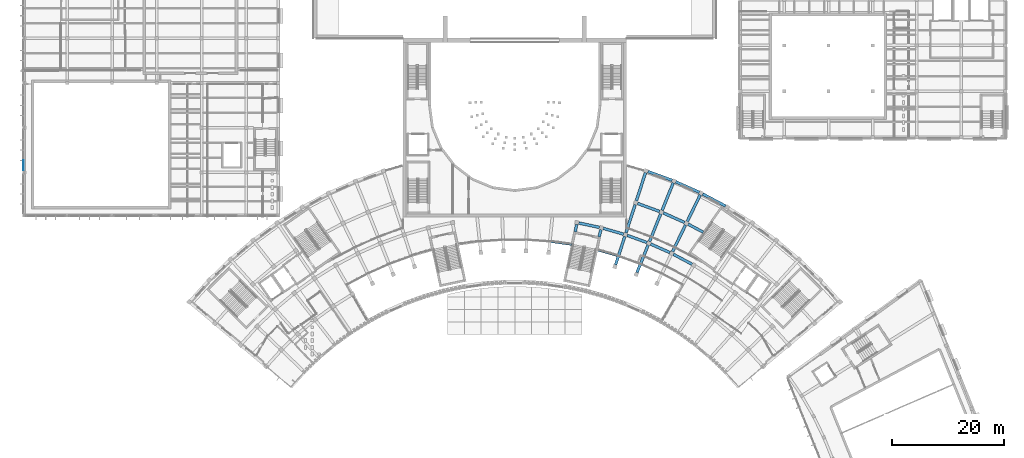
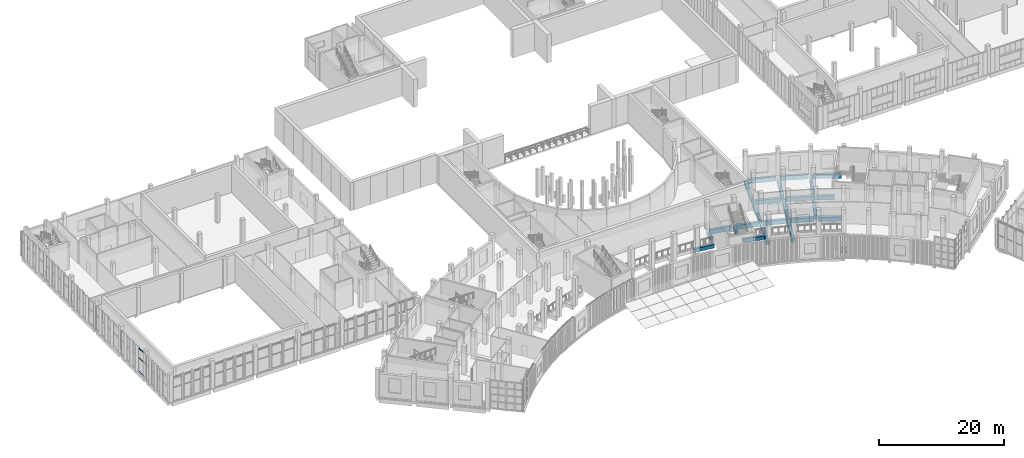
# One storey, part 16 of 112: 23 beams, 3 members, 1 element without a shape of its own.
"""IFC4 building model written with IfcOpenShell, lengths in metres."""

from ifc_helpers import new_model, si_unit, direction, frame, origin, origin_2d, place, context, subcontext, project, spatial, rectangle, extrude, material, layer, layer_set, material_profile, profile_set, type_object, element, aggregate, save


model = new_model("IFC4")

# Units and contexts
model_context = context("Model", 3, precision=1e-05, world=origin(), true_north=direction((0.0, 1.0)))
body_context = subcontext(model_context, "Body", "Model", "MODEL_VIEW")
ifc_project = project(units=[si_unit("LENGTHUNIT", "METRE"), si_unit("AREAUNIT", "SQUARE_METRE"), si_unit("VOLUMEUNIT", "CUBIC_METRE"), si_unit("PLANEANGLEUNIT", "RADIAN"), si_unit("MASSUNIT", "GRAM", prefix="KILO")], contexts=[model_context])

# Site, building, storey
site_placement = place(None, origin())
site = spatial("IfcSite", under=ifc_project, at=site_placement, CompositionType="ELEMENT")
building_placement = place(site_placement, origin())
building = spatial("IfcBuilding", under=site, at=building_placement, Name="Lunette Opera House", CompositionType="ELEMENT")
storey_placement = place(building_placement, frame((0.0, 0.0, 6.0)))
storey = spatial("IfcBuildingStorey", under=building, at=storey_placement, Name="L01", CompositionType="ELEMENT", Elevation=6.0)

# Beams
ifc_material_1 = material(Name="Concrete C35/45", Category="concrete")
ifc_material_profile_1 = material_profile(ifc_material_1, rectangle(XDim=0.39990234375, YDim=0.699951171875, at=origin_2d()), Name="RC BEAM 400X700")
ifc_profile_set_1 = profile_set([ifc_material_profile_1], Name="Concrete C35/45")
beam_type_1 = type_object("IfcBeamType", Name="RC BEAM 400X700", PredefinedType="BEAM", material=ifc_profile_set_1)
beam_1_placement = place(storey_placement, frame((102.5, 59.638916015625, -0.570068359375), z_axis=(0.990284150635, -0.139058624332, 0.0), x_axis=(0.139058624332, 0.990284150635, 0.0)))
element("IfcBeam", 1, at=beam_1_placement, inside=storey, type_object=beam_type_1, Name="beam-FC-L01-TRL01-010", PredefinedType="BEAM", context=body_context, shape_type="SweptSolid", body=[
    extrude(rectangle(XDim=0.39990234375, YDim=0.699951171875, at=origin_2d()), origin(), (0.0, 0.0, 1.0), 3.66064453125),
])
beam_2_placement = place(storey_placement, frame((110.800048828125, 58.135986328125, -0.570068359375), z_axis=(0.961284568992, -0.275557575506, 0.0), x_axis=(0.275557575506, 0.961284568992, 0.0)))
element("IfcBeam", 2, at=beam_2_placement, inside=storey, type_object=beam_type_1, Name="beam-FC-L01-TRL01-011", PredefinedType="BEAM", context=body_context, shape_type="SweptSolid", body=[
    extrude(rectangle(XDim=0.39990234375, YDim=0.699951171875, at=origin_2d()), origin(), (0.0, 0.0, 1.0), 3.661865234375),
])
ifc_material_2 = material(Name="Concrete C35/45", Category="concrete")
ifc_material_profile_2 = material_profile(ifc_material_2, rectangle(XDim=0.5, YDim=0.800048828125, at=origin_2d()), Name="RC BEAM 500X800")
ifc_profile_set_2 = profile_set([ifc_material_profile_2], Name="Concrete C35/45")
beam_type_2 = type_object("IfcBeamType", Name="RC BEAM 500X800", PredefinedType="BEAM", material=ifc_profile_set_2)
beam_3_placement = place(storey_placement, frame((106.822998046875, 61.381103515625, -0.6201171875), z_axis=(0.173367133404, 0.984857267352, 0.0), x_axis=(-0.984857267352, 0.173367133404, 0.0)))
element("IfcBeam", 3, at=beam_3_placement, inside=storey, type_object=beam_type_2, Name="beam-FC-L01-L01-RB-RL-16-2", PredefinedType="BEAM", context=body_context, shape_type="SweptSolid", body=[
    extrude(rectangle(XDim=0.5, YDim=0.800048828125, at=origin_2d()), origin(), (0.0, 0.0, 1.0), 1.332275390625),
])
beam_4_placement = place(storey_placement, frame((111.0791015625, 60.47705078125, -0.6201171875), z_axis=(0.241672643646, 0.970357837766, 0.0), x_axis=(-0.970357837766, 0.241672643646, 0.0)))
element("IfcBeam", 4, at=beam_4_placement, inside=storey, type_object=beam_type_2, Name="beam-FC-L01-L01-RB-RL-17-2", PredefinedType="BEAM", context=body_context, shape_type="SweptSolid", body=[
    extrude(rectangle(XDim=0.5, YDim=0.800048828125, at=origin_2d()), origin(), (0.0, 0.0, 1.0), 1.33154296875),
])
beam_5_placement = place(storey_placement, frame((114.028076171875, 55.485107421875, -0.6201171875), z_axis=(0.309072580724, 0.951038453399, 0.0), x_axis=(-0.951038453399, 0.309072580724, 0.0)))
element("IfcBeam", 5, at=beam_5_placement, inside=storey, type_object=beam_type_2, Name="beam-FC-L01-L01-RB-RL-18-2", PredefinedType="BEAM", context=body_context, shape_type="SweptSolid", body=[
    extrude(rectangle(XDim=0.5, YDim=0.800048828125, at=origin_2d()), origin(), (0.0, 0.0, 1.0), 5.3193359375),
])
for number, where, z_axis, x_axis, name in (
    (6, (115.882080078125, 61.19091796875, -0.6201171875), (0.30896363271, 0.951073852896, 0.0), (-0.951073852896, 0.30896363271, 0.0), "beam-FC-L01-L01-RB-RL-18-3"),
    (7, (117.736083984375, 66.89697265625, -0.6201171875), (0.30896363271, 0.951073852896, 0.0), (-0.951073852896, 0.30896363271, 0.0), "beam-FC-L01-L01-RB-RL-18-4"),
):
    element("IfcBeam", number, at=place(storey_placement, frame(where, z_axis=z_axis, x_axis=x_axis)), inside=storey, type_object=beam_type_2, Name=name, PredefinedType="BEAM", context=body_context, shape_type="SweptSolid", body=[
        extrude(rectangle(XDim=0.5, YDim=0.800048828125, at=origin_2d()), origin(), (0.0, 0.0, 1.0), 5.3203125),
    ])
beam_6_placement = place(storey_placement, frame((117.85498046875, 54.092041015625, -0.6201171875), z_axis=(0.374434974163, 0.927253174771, 0.0), x_axis=(-0.927253174771, 0.374434974163, 0.0)))
element("IfcBeam", 8, at=beam_6_placement, inside=storey, type_object=beam_type_2, Name="beam-FC-L01-L01-RB-RL-19-2", PredefinedType="BEAM", context=body_context, shape_type="SweptSolid", body=[
    extrude(rectangle(XDim=0.5, YDim=0.800048828125, at=origin_2d()), origin(), (0.0, 0.0, 1.0), 5.31982421875),
])
for number, where, z_axis, x_axis, name in (
    (9, (120.10205078125, 59.655029296875, -0.6201171875), (0.374592790276, 0.927189431278, 0.0), (-0.927189431278, 0.374592790276, 0.0), "beam-FC-L01-L01-RB-RL-19-3"),
    (10, (122.35009765625, 65.218017578125, -0.6201171875), (0.374592790276, 0.927189431278, 0.0), (-0.927189431278, 0.374592790276, 0.0), "beam-FC-L01-L01-RB-RL-19-4"),
):
    element("IfcBeam", number, at=place(storey_placement, frame(where, z_axis=z_axis, x_axis=x_axis)), inside=storey, type_object=beam_type_2, Name=name, PredefinedType="BEAM", context=body_context, shape_type="SweptSolid", body=[
        extrude(rectangle(XDim=0.5, YDim=0.800048828125, at=origin_2d()), origin(), (0.0, 0.0, 1.0), 5.3203125),
    ])
beam_7_placement = place(storey_placement, frame((124.205078125, 57.827880859375, -0.6201171875), z_axis=(0.438307908837, 0.898824886756, 0.0), x_axis=(-0.898824886756, 0.438307908837, 0.0)))
element("IfcBeam", 11, at=beam_7_placement, inside=storey, type_object=beam_type_2, Name="beam-FC-L01-L01-RB-RL-20-3", PredefinedType="BEAM", context=body_context, shape_type="SweptSolid", body=[
    extrude(rectangle(XDim=0.5, YDim=0.800048828125, at=origin_2d()), origin(), (0.0, 0.0, 1.0), 5.320556640625),
])
beam_8_placement = place(storey_placement, frame((126.8349609375, 63.220947265625, -0.6201171875), z_axis=(0.438325987036, 0.898816070778, 0.0), x_axis=(-0.898816070778, 0.438325987036, 0.0)))
element("IfcBeam", 12, at=beam_8_placement, inside=storey, type_object=beam_type_2, Name="beam-FC-L01-L01-RB-RL-20-4", PredefinedType="BEAM", context=body_context, shape_type="SweptSolid", body=[
    extrude(rectangle(XDim=0.5, YDim=0.800048828125, at=origin_2d()), origin(), (0.0, 0.0, 1.0), 5.3203125),
])
beam_9_placement = place(storey_placement, frame((107.446044921875, 62.95703125, -0.6201171875), z_axis=(0.978156720642, -0.207868780394, 0.0), x_axis=(0.207868780394, 0.978156720642, 0.0)))
element("IfcBeam", 13, at=beam_9_placement, inside=storey, type_object=beam_type_2, Name="beam-FC-L01-L01-RG-AR-B-RL-16", PredefinedType="BEAM", context=body_context, shape_type="SweptSolid", body=[
    extrude(rectangle(XDim=0.5, YDim=0.800048828125, at=origin_2d()), origin(), (0.0, 0.0, 1.0), 3.78662109375),
])
beam_10_placement = place(storey_placement, frame((111.81005859375, 62.0048828125, -0.6201171875), z_axis=(0.961314416765, -0.275453430037, 0.0), x_axis=(0.275453430037, 0.961314416765, 0.0)))
element("IfcBeam", 14, at=beam_10_placement, inside=storey, type_object=beam_type_2, Name="beam-FC-L01-L01-RG-AR-B-RL-17", PredefinedType="BEAM", context=body_context, shape_type="SweptSolid", body=[
    extrude(rectangle(XDim=0.5, YDim=0.800048828125, at=origin_2d()), origin(), (0.0, 0.0, 1.0), 3.786376953125),
])
for number, where, z_axis, x_axis, name in (
    (15, (116.096923828125, 60.751953125, -0.6201171875), (0.939620121597, -0.342219267561, 0.0), (0.342219267561, 0.939620121597, 0.0), "beam-FC-L01-L01-RG-AR-B-RL-18"),
    (16, (120.285888671875, 59.201904296875, -0.6201171875), (0.913460283837, -0.406927892694, 0.0), (0.406927892694, 0.913460283837, 0.0), "beam-FC-L01-L01-RG-AR-B-RL-19"),
    (17, (124.35595703125, 57.363037109375, -0.6201171875), (0.883049767383, -0.469279349988, 0.0), (0.469279349988, 0.883049767383, 0.0), "beam-FC-L01-L01-RG-AR-B-RL-20"),
):
    element("IfcBeam", number, at=place(storey_placement, frame(where, z_axis=z_axis, x_axis=x_axis)), inside=storey, type_object=beam_type_2, Name=name, PredefinedType="BEAM", context=body_context, shape_type="SweptSolid", body=[
        extrude(rectangle(XDim=0.5, YDim=0.800048828125, at=origin_2d()), origin(), (0.0, 0.0, 1.0), 3.786865234375),
    ])
beam_11_placement = place(storey_placement, frame((117.950927734375, 66.4580078125, -0.6201171875), z_axis=(0.939627187369, -0.34219986668, 0.0), x_axis=(0.34219986668, 0.939627187369, 0.0)))
element("IfcBeam", 18, at=beam_11_placement, inside=storey, type_object=beam_type_2, Name="beam-FC-L01-L01-RG-AR-M2-RL-18", PredefinedType="BEAM", context=body_context, shape_type="SweptSolid", body=[
    extrude(rectangle(XDim=0.5, YDim=0.800048828125, at=origin_2d()), origin(), (0.0, 0.0, 1.0), 4.205078125),
])
beam_12_placement = place(storey_placement, frame((122.532958984375, 64.764892578125, -0.6201171875), z_axis=(0.913514477547, -0.40680621838, 0.0), x_axis=(0.40680621838, 0.913514477547, 0.0)))
element("IfcBeam", 19, at=beam_12_placement, inside=storey, type_object=beam_type_2, Name="beam-FC-L01-L01-RG-AR-M2-RL-19", PredefinedType="BEAM", context=body_context, shape_type="SweptSolid", body=[
    extrude(rectangle(XDim=0.5, YDim=0.800048828125, at=origin_2d()), origin(), (0.0, 0.0, 1.0), 4.205810546875),
])
beam_13_placement = place(storey_placement, frame((126.986083984375, 62.756103515625, -0.6201171875), z_axis=(0.882889359825, -0.469581066811, 0.0), x_axis=(0.469581066811, 0.882889359825, 0.0)))
element("IfcBeam", 20, at=beam_13_placement, inside=storey, type_object=beam_type_2, Name="beam-FC-L01-L01-RG-AR-M2-RL-20", PredefinedType="BEAM", context=body_context, shape_type="SweptSolid", body=[
    extrude(rectangle(XDim=0.5, YDim=0.800048828125, at=origin_2d()), origin(), (0.0, 0.0, 1.0), 3.045654296875),
])
for number, where, z_axis, x_axis, name in (
    (21, (119.804931640625, 72.1640625, -0.6201171875), (0.939651519364, -0.34213304745, 0.0), (0.34213304745, 0.939651519364, 0.0), "beam-FC-L01-L01-RG-AR-C-RL-18"),
    (22, (124.781005859375, 70.327880859375, -0.6201171875), (0.913445407315, -0.406961285451, 0.0), (0.406961285451, 0.913445407315, 0.0), "beam-FC-L01-L01-RG-AR-C-RL-19"),
):
    element("IfcBeam", number, at=place(storey_placement, frame(where, z_axis=z_axis, x_axis=x_axis)), inside=storey, type_object=beam_type_2, Name=name, PredefinedType="BEAM", context=body_context, shape_type="SweptSolid", body=[
        extrude(rectangle(XDim=0.5, YDim=0.800048828125, at=origin_2d()), origin(), (0.0, 0.0, 1.0), 4.6240234375),
    ])
beam_14_placement = place(storey_placement, frame((129.615966796875, 68.14794921875, -0.6201171875), z_axis=(0.883088377591, -0.469206689385, 0.0), x_axis=(0.469206689385, 0.883088377591, 0.0)))
element("IfcBeam", 23, at=beam_14_placement, inside=storey, type_object=beam_type_2, Name="beam-FC-L01-L01-RG-AR-C-RL-20", PredefinedType="BEAM", context=body_context, shape_type="SweptSolid", body=[
    extrude(rectangle(XDim=0.5, YDim=0.800048828125, at=origin_2d()), origin(), (0.0, 0.0, 1.0), 4.624755859375),
])

# Curtain wall, members
ifc_material_3 = material(Name="Aluminium", Category="aluminium")
ifc_layer = layer(ifc_material_3, 0.179931640625)
ifc_layer_set = layer_set([ifc_layer], Name="Aluminium")
curtain_wall_type = type_object("IfcCurtainWallType", Name="SUN FACE CURTAIN WALL", PredefinedType="NOTDEFINED", material=ifc_layer_set)
curtain_wall_placement = place(storey_placement, origin())
curtain_wall = element("IfcCurtainWall", 24, at=curtain_wall_placement, inside=storey, type_object=curtain_wall_type, Name="Sun Face Curtain Wall F17 L01", PredefinedType="NOTDEFINED")
ifc_material_4 = material(Name="Aluminium", Category="aluminium")
ifc_material_profile_3 = material_profile(ifc_material_4, rectangle(XDim=0.06005859375, YDim=0.139892578125, at=origin_2d()), Name="TRANSOM 60 X 140")
ifc_profile_set_3 = profile_set([ifc_material_profile_3], Name="Aluminium")
member_type = type_object("IfcMemberType", Name="TRANSOM 60 X 140", PredefinedType="USERDEFINED", material=ifc_profile_set_3)
member_1_placement = place(storey_placement, frame((8.181884765625, 74.135009765625, 0.030029296875), z_axis=(0.0, -1.0, 0.0), x_axis=(1.0, 0.0, 0.0)))
member_1 = element("IfcMember", 25, at=member_1_placement, type_object=member_type, Name="RW-X2019 transom 4.1", ObjectType="TRANSOM", PredefinedType="USERDEFINED", context=body_context, shape_type="SweptSolid", body=[
    extrude(rectangle(XDim=0.06005859375, YDim=0.139892578125, at=origin_2d()), origin(), (0.0, 0.0, 1.0), 1.7451171875),
])
member_2_placement = place(storey_placement, frame((8.181884765625, 74.135009765625, 2.675048828125), z_axis=(0.0, -1.0, 0.0), x_axis=(1.0, 0.0, 0.0)))
member_2 = element("IfcMember", 26, at=member_2_placement, type_object=member_type, Name="RW-X2019 transom 4.2", ObjectType="TRANSOM", PredefinedType="USERDEFINED", context=body_context, shape_type="SweptSolid", body=[
    extrude(rectangle(XDim=0.06005859375, YDim=0.139892578125, at=origin_2d()), origin(), (0.0, 0.0, 1.0), 1.7451171875),
])
member_3_placement = place(storey_placement, frame((8.181884765625, 74.135009765625, 4.52001953125), z_axis=(0.0, -1.0, 0.0), x_axis=(1.0, 0.0, 0.0)))
member_3 = element("IfcMember", 27, at=member_3_placement, type_object=member_type, Name="RW-X2019 transom 4.3", ObjectType="TRANSOM", PredefinedType="USERDEFINED", context=body_context, shape_type="SweptSolid", body=[
    extrude(rectangle(XDim=0.06005859375, YDim=0.139892578125, at=origin_2d()), origin(), (0.0, 0.0, 1.0), 1.7451171875),
])
aggregate(curtain_wall, [member_1, member_2, member_3])

save(model, "model.ifc")
